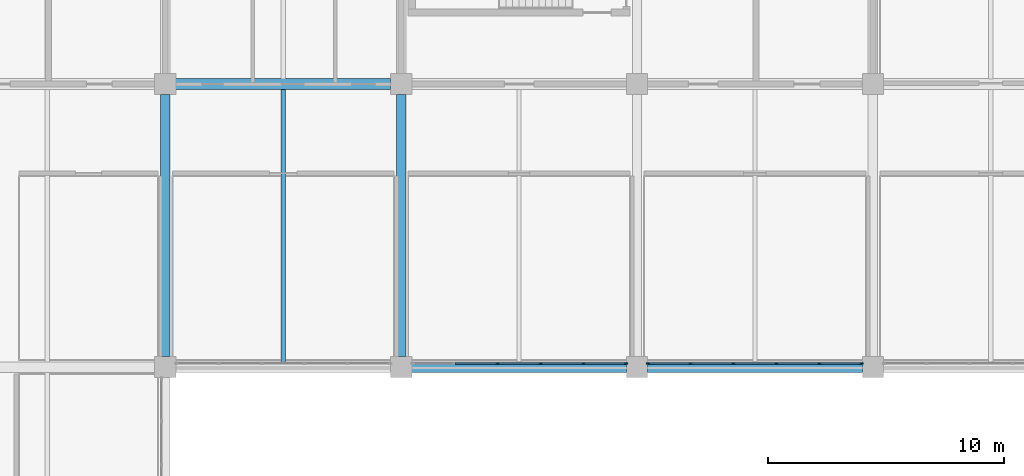
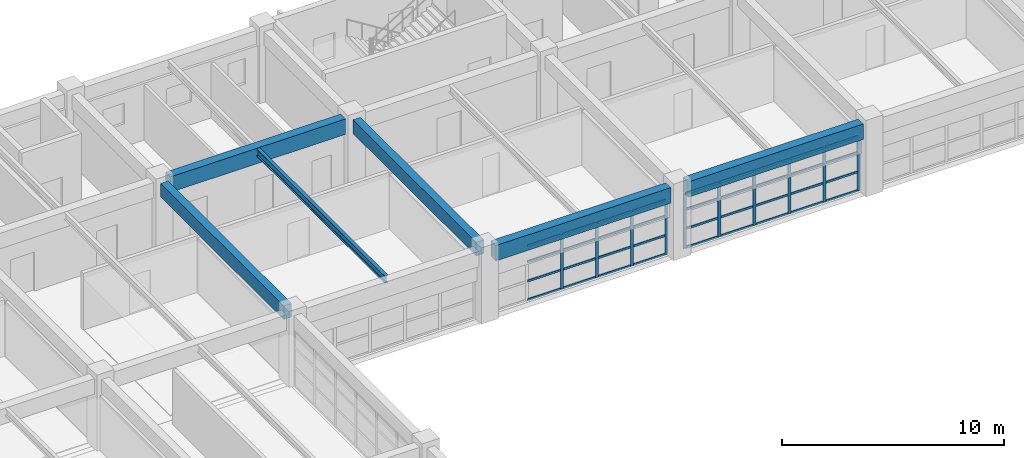
# One storey, part 58 of 100: 46 members, 6 beams, 2 elements without a shape of their own.
"""IFC4 building model written with IfcOpenShell, lengths in metres."""

from ifc_helpers import new_model, si_unit, direction, frame, origin, origin_2d, place, context, subcontext, project, spatial, rectangle, i_section, extrude, material, layer, layer_set, material_profile, profile_set, type_object, element, aggregate, save


model = new_model("IFC4")

# Units and contexts
model_context = context("Model", 3, precision=1e-05, world=origin(), true_north=direction((0.0, 1.0)))
body_context = subcontext(model_context, "Body", "Model", "MODEL_VIEW")
ifc_project = project(units=[si_unit("LENGTHUNIT", "METRE"), si_unit("AREAUNIT", "SQUARE_METRE"), si_unit("VOLUMEUNIT", "CUBIC_METRE"), si_unit("PLANEANGLEUNIT", "RADIAN"), si_unit("MASSUNIT", "GRAM", prefix="KILO")], contexts=[model_context])

# Site, building, storey
site_placement = place(None, origin())
site = spatial("IfcSite", under=ifc_project, at=site_placement, CompositionType="ELEMENT")
building_placement = place(site_placement, origin())
building = spatial("IfcBuilding", under=site, at=building_placement, Name="Kivolera Central Railway Station", CompositionType="ELEMENT")
storey_placement = place(building_placement, frame((0.0, 0.0, 5.39990234375)))
storey = spatial("IfcBuildingStorey", under=building, at=storey_placement, Name="L01", CompositionType="ELEMENT", Elevation=5.39990234375)

# Beams
ifc_material_1 = material(Name="Steel S355", Category="steel")
ifc_material_profile_1 = material_profile(ifc_material_1, i_section(OverallWidth=0.179931640625, OverallDepth=0.39990234375, WebThickness=0.008544921875, FlangeThickness=0.013427734375, FilletRadius=0.02099609375, at=origin_2d()), Name="IPE 400")
ifc_profile_set_1 = profile_set([ifc_material_profile_1], Name="Steel S355")
beam_type_1 = type_object("IfcBeamType", Name="BM-JST-IPE400", PredefinedType="JOIST", material=ifc_profile_set_1)
beam_placement = place(storey_placement, frame((143.0, 114.217041015625, 3.668212890625), z_axis=(0.0, 1.0, 0.0), x_axis=(-1.0, 0.0, 0.0)))
element("IfcBeam", 1, at=beam_placement, inside=storey, type_object=beam_type_1, Name="L01 Floor Joist 14-15/K-L", PredefinedType="JOIST", context=body_context, shape_type="SweptSolid", body=[
    extrude(i_section(OverallWidth=0.179931640625, OverallDepth=0.39990234375, WebThickness=0.008544921875, FlangeThickness=0.013427734375, FilletRadius=0.02099609375, at=origin_2d()), origin(), (0.0, 0.0, 1.0), 11.56591796875),
])
ifc_material_2 = material(Name="Concrete C40/50", Category="concrete")
ifc_material_profile_2 = material_profile(ifc_material_2, rectangle(XDim=0.39990234375, YDim=0.75, at=origin_2d()), Name="RC 400x750")
ifc_profile_set_2 = profile_set([ifc_material_profile_2], Name="Concrete C40/50")
beam_type_2 = type_object("IfcBeamType", Name="BM-RC-400x750", PredefinedType="BEAM", material=ifc_profile_set_2)
for number, where, z_axis, x_axis, name in (
    (2, (138.0, 114.44189453125, 3.505126953125), (0.0, 1.0, 0.0), (-1.0, 0.0, 0.0), "L01 Wing Y-Beam 14:K-L"),
    (3, (148.0, 114.44189453125, 3.505126953125), (0.0, 1.0, 0.0), (-1.0, 0.0, 0.0), "L01 Wing Y-Beam 15:K-L"),
):
    element("IfcBeam", number, at=place(storey_placement, frame(where, z_axis=z_axis, x_axis=x_axis)), inside=storey, type_object=beam_type_2, Name=name, PredefinedType="BEAM", context=body_context, shape_type="SweptSolid", body=[
        extrude(rectangle(XDim=0.39990234375, YDim=0.75, at=origin_2d()), origin(), (0.0, 0.0, 1.0), 11.1162109375),
    ])
ifc_material_profile_3 = material_profile(ifc_material_2, rectangle(XDim=0.449951171875, YDim=0.85009765625, at=origin_2d()), Name="RC 450x850")
ifc_profile_set_3 = profile_set([ifc_material_profile_3], Name="Concrete C40/50")
beam_type_3 = type_object("IfcBeamType", Name="BM-RC-450x850", PredefinedType="BEAM", material=ifc_profile_set_3)
for number, where, z_axis, x_axis, name in (
    (4, (148.44189453125, 114.0, 3.455078125), (1.0, 0.0, 0.0), (0.0, 1.0, 0.0), "L01 Wing X-Beam K:15-16"),
    (5, (158.44189453125, 114.0, 3.455078125), (1.0, 0.0, 0.0), (0.0, 1.0, 0.0), "L01 Wing X-Beam K:16-17"),
    (6, (138.44189453125, 126.0, 3.455078125), (1.0, 0.0, 0.0), (0.0, 1.0, 0.0), "L01 Wing X-Beam L:14-15"),
):
    element("IfcBeam", number, at=place(storey_placement, frame(where, z_axis=z_axis, x_axis=x_axis)), inside=storey, type_object=beam_type_3, Name=name, PredefinedType="BEAM", context=body_context, shape_type="SweptSolid", body=[
        extrude(rectangle(XDim=0.449951171875, YDim=0.85009765625, at=origin_2d()), origin(), (0.0, 0.0, 1.0), 9.1162109375),
    ])

# Curtain wall, members
ifc_material_3 = material(Name="Anodised aluminium", Category="aluminium")
ifc_layer = layer(ifc_material_3, 0.179931640625, Name="Anodised aluminium")
ifc_layer_set = layer_set([ifc_layer], Name="Anodised aluminium")
curtain_wall_type = type_object("IfcCurtainWallType", Name="CW-SYS-24", PredefinedType="NOTDEFINED", material=ifc_layer_set)
curtain_wall_1_placement = place(storey_placement, origin())
curtain_wall_1 = element("IfcCurtainWall", 7, at=curtain_wall_1_placement, inside=storey, type_object=curtain_wall_type, Name="L01 Curtain Wall CW-L01-CRTN-148", PredefinedType="NOTDEFINED")
ifc_material_profile_4 = material_profile(ifc_material_3, rectangle(XDim=0.06005859375, YDim=0.14990234375, at=origin_2d()), Name="ALU MULL 60x150")
ifc_profile_set_4 = profile_set([ifc_material_profile_4], Name="Anodised aluminium")
member_type_1 = type_object("IfcMemberType", Name="CWM-MUL-2", PredefinedType="MULLION", material=ifc_profile_set_4)
member_1_placement = place(storey_placement, frame((157.52490234375, 114.159912109375, -0.0048828125), z_axis=(0.0, 0.0, 1.0), x_axis=(0.0, -1.0, 0.0)))
member_1 = element("IfcMember", 8, at=member_1_placement, type_object=member_type_1, Name="CW-24 mullion 1", PredefinedType="MULLION", context=body_context, shape_type="SweptSolid", body=[
    extrude(rectangle(XDim=0.06005859375, YDim=0.14990234375, at=origin_2d()), origin(), (0.0, 0.0, 1.0), 3.02294921875),
])
member_2_placement = place(storey_placement, frame((155.73291015625, 114.159912109375, -0.0048828125), z_axis=(0.0, 0.0, 1.0), x_axis=(0.0, -1.0, 0.0)))
member_2 = element("IfcMember", 9, at=member_2_placement, type_object=member_type_1, Name="CW-24 mullion 2", PredefinedType="MULLION", context=body_context, shape_type="SweptSolid", body=[
    extrude(rectangle(XDim=0.06005859375, YDim=0.14990234375, at=origin_2d()), origin(), (0.0, 0.0, 1.0), 3.02294921875),
])
member_3_placement = place(storey_placement, frame((153.910888671875, 114.159912109375, -0.0048828125), z_axis=(0.0, 0.0, 1.0), x_axis=(0.0, -1.0, 0.0)))
member_3 = element("IfcMember", 10, at=member_3_placement, type_object=member_type_1, Name="CW-24 mullion 3", PredefinedType="MULLION", context=body_context, shape_type="SweptSolid", body=[
    extrude(rectangle(XDim=0.06005859375, YDim=0.14990234375, at=origin_2d()), origin(), (0.0, 0.0, 1.0), 3.02294921875),
])
member_4_placement = place(storey_placement, frame((152.089111328125, 114.159912109375, -0.0048828125), z_axis=(0.0, 0.0, 1.0), x_axis=(0.0, -1.0, 0.0)))
member_4 = element("IfcMember", 11, at=member_4_placement, type_object=member_type_1, Name="CW-24 mullion 4", PredefinedType="MULLION", context=body_context, shape_type="SweptSolid", body=[
    extrude(rectangle(XDim=0.06005859375, YDim=0.14990234375, at=origin_2d()), origin(), (0.0, 0.0, 1.0), 3.02294921875),
])

curtain_wall_2_placement = place(storey_placement, origin())
curtain_wall_2 = element("IfcCurtainWall", 12, at=curtain_wall_2_placement, inside=storey, type_object=curtain_wall_type, Name="L01 Curtain Wall CW-L01-CRTN-158", PredefinedType="NOTDEFINED")
member_5_placement = place(storey_placement, frame((167.52490234375, 114.159912109375, -0.0048828125), z_axis=(0.0, 0.0, 1.0), x_axis=(0.0, -1.0, 0.0)))
member_5 = element("IfcMember", 13, at=member_5_placement, type_object=member_type_1, Name="CW-24 mullion 1", PredefinedType="MULLION", context=body_context, shape_type="SweptSolid", body=[
    extrude(rectangle(XDim=0.06005859375, YDim=0.14990234375, at=origin_2d()), origin(), (0.0, 0.0, 1.0), 3.02294921875),
])
member_6_placement = place(storey_placement, frame((165.73291015625, 114.159912109375, -0.0048828125), z_axis=(0.0, 0.0, 1.0), x_axis=(0.0, -1.0, 0.0)))
member_6 = element("IfcMember", 14, at=member_6_placement, type_object=member_type_1, Name="CW-24 mullion 2", PredefinedType="MULLION", context=body_context, shape_type="SweptSolid", body=[
    extrude(rectangle(XDim=0.06005859375, YDim=0.14990234375, at=origin_2d()), origin(), (0.0, 0.0, 1.0), 3.02294921875),
])
member_7_placement = place(storey_placement, frame((163.910888671875, 114.159912109375, -0.0048828125), z_axis=(0.0, 0.0, 1.0), x_axis=(0.0, -1.0, 0.0)))
member_7 = element("IfcMember", 15, at=member_7_placement, type_object=member_type_1, Name="CW-24 mullion 3", PredefinedType="MULLION", context=body_context, shape_type="SweptSolid", body=[
    extrude(rectangle(XDim=0.06005859375, YDim=0.14990234375, at=origin_2d()), origin(), (0.0, 0.0, 1.0), 3.02294921875),
])
member_8_placement = place(storey_placement, frame((162.089111328125, 114.159912109375, -0.0048828125), z_axis=(0.0, 0.0, 1.0), x_axis=(0.0, -1.0, 0.0)))
member_8 = element("IfcMember", 16, at=member_8_placement, type_object=member_type_1, Name="CW-24 mullion 4", PredefinedType="MULLION", context=body_context, shape_type="SweptSolid", body=[
    extrude(rectangle(XDim=0.06005859375, YDim=0.14990234375, at=origin_2d()), origin(), (0.0, 0.0, 1.0), 3.02294921875),
])
member_9_placement = place(storey_placement, frame((160.26708984375, 114.159912109375, -0.0048828125), z_axis=(0.0, 0.0, 1.0), x_axis=(0.0, -1.0, 0.0)))
member_9 = element("IfcMember", 17, at=member_9_placement, type_object=member_type_1, Name="CW-24 mullion 5", PredefinedType="MULLION", context=body_context, shape_type="SweptSolid", body=[
    extrude(rectangle(XDim=0.06005859375, YDim=0.14990234375, at=origin_2d()), origin(), (0.0, 0.0, 1.0), 3.02294921875),
])
member_10_placement = place(storey_placement, frame((158.47509765625, 114.159912109375, -0.0048828125), z_axis=(0.0, 0.0, 1.0), x_axis=(0.0, -1.0, 0.0)))
member_10 = element("IfcMember", 18, at=member_10_placement, type_object=member_type_1, Name="CW-24 mullion 6", PredefinedType="MULLION", context=body_context, shape_type="SweptSolid", body=[
    extrude(rectangle(XDim=0.06005859375, YDim=0.14990234375, at=origin_2d()), origin(), (0.0, 0.0, 1.0), 3.02294921875),
])

# Member
ifc_material_profile_5 = material_profile(ifc_material_3, rectangle(XDim=0.06005859375, YDim=0.1201171875, at=origin_2d()), Name="ALU TRAN 60x120")
ifc_profile_set_5 = profile_set([ifc_material_profile_5], Name="Anodised aluminium")
member_type_2 = type_object("IfcMemberType", Name="CWM-TRN-2", PredefinedType="USERDEFINED", material=ifc_profile_set_5)
member_11_placement = place(storey_placement, frame((157.4951171875, 114.159912109375, 0.030029296875), z_axis=(-1.0, 0.0, 0.0), x_axis=(0.0, -1.0, 0.0)))
member_11 = element("IfcMember", 19, at=member_11_placement, type_object=member_type_2, Name="CW-24 transom 1.1", ObjectType="TRANSOM", PredefinedType="USERDEFINED", context=body_context, shape_type="SweptSolid", body=[
    extrude(rectangle(XDim=0.06005859375, YDim=0.1201171875, at=origin_2d()), origin(), (0.0, 0.0, 1.0), 1.732177734375),
])

member_12_placement = place(storey_placement, frame((157.4951171875, 114.159912109375, 1.056396484375), z_axis=(-1.0, 0.0, 0.0), x_axis=(0.0, -1.0, 0.0)))
member_12 = element("IfcMember", 20, at=member_12_placement, type_object=member_type_2, Name="CW-24 transom 1.2", ObjectType="TRANSOM", PredefinedType="USERDEFINED", context=body_context, shape_type="SweptSolid", body=[
    extrude(rectangle(XDim=0.06005859375, YDim=0.1201171875, at=origin_2d()), origin(), (0.0, 0.0, 1.0), 1.732177734375),
])

member_13_placement = place(storey_placement, frame((157.4951171875, 114.159912109375, 2.11279296875), z_axis=(-1.0, 0.0, 0.0), x_axis=(0.0, -1.0, 0.0)))
member_13 = element("IfcMember", 21, at=member_13_placement, type_object=member_type_2, Name="CW-24 transom 1.3", ObjectType="TRANSOM", PredefinedType="USERDEFINED", context=body_context, shape_type="SweptSolid", body=[
    extrude(rectangle(XDim=0.06005859375, YDim=0.1201171875, at=origin_2d()), origin(), (0.0, 0.0, 1.0), 1.732177734375),
])

member_14_placement = place(storey_placement, frame((157.4951171875, 114.159912109375, 2.988037109375), z_axis=(-1.0, 0.0, 0.0), x_axis=(0.0, -1.0, 0.0)))
member_14 = element("IfcMember", 22, at=member_14_placement, type_object=member_type_2, Name="CW-24 transom 1.4", ObjectType="TRANSOM", PredefinedType="USERDEFINED", context=body_context, shape_type="SweptSolid", body=[
    extrude(rectangle(XDim=0.06005859375, YDim=0.1201171875, at=origin_2d()), origin(), (0.0, 0.0, 1.0), 1.732177734375),
])

member_15_placement = place(storey_placement, frame((155.702880859375, 114.159912109375, 0.030029296875), z_axis=(-1.0, 0.0, 0.0), x_axis=(0.0, -1.0, 0.0)))
member_15 = element("IfcMember", 23, at=member_15_placement, type_object=member_type_2, Name="CW-24 transom 2.1", ObjectType="TRANSOM", PredefinedType="USERDEFINED", context=body_context, shape_type="SweptSolid", body=[
    extrude(rectangle(XDim=0.06005859375, YDim=0.1201171875, at=origin_2d()), origin(), (0.0, 0.0, 1.0), 1.761962890625),
])

member_16_placement = place(storey_placement, frame((155.702880859375, 114.159912109375, 1.056396484375), z_axis=(-1.0, 0.0, 0.0), x_axis=(0.0, -1.0, 0.0)))
member_16 = element("IfcMember", 24, at=member_16_placement, type_object=member_type_2, Name="CW-24 transom 2.2", ObjectType="TRANSOM", PredefinedType="USERDEFINED", context=body_context, shape_type="SweptSolid", body=[
    extrude(rectangle(XDim=0.06005859375, YDim=0.1201171875, at=origin_2d()), origin(), (0.0, 0.0, 1.0), 1.761962890625),
])

member_17_placement = place(storey_placement, frame((155.702880859375, 114.159912109375, 2.11279296875), z_axis=(-1.0, 0.0, 0.0), x_axis=(0.0, -1.0, 0.0)))
member_17 = element("IfcMember", 25, at=member_17_placement, type_object=member_type_2, Name="CW-24 transom 2.3", ObjectType="TRANSOM", PredefinedType="USERDEFINED", context=body_context, shape_type="SweptSolid", body=[
    extrude(rectangle(XDim=0.06005859375, YDim=0.1201171875, at=origin_2d()), origin(), (0.0, 0.0, 1.0), 1.761962890625),
])

member_18_placement = place(storey_placement, frame((155.702880859375, 114.159912109375, 2.988037109375), z_axis=(-1.0, 0.0, 0.0), x_axis=(0.0, -1.0, 0.0)))
member_18 = element("IfcMember", 26, at=member_18_placement, type_object=member_type_2, Name="CW-24 transom 2.4", ObjectType="TRANSOM", PredefinedType="USERDEFINED", context=body_context, shape_type="SweptSolid", body=[
    extrude(rectangle(XDim=0.06005859375, YDim=0.1201171875, at=origin_2d()), origin(), (0.0, 0.0, 1.0), 1.761962890625),
])

member_19_placement = place(storey_placement, frame((153.881103515625, 114.159912109375, 0.030029296875), z_axis=(-1.0, 0.0, 0.0), x_axis=(0.0, -1.0, 0.0)))
member_19 = element("IfcMember", 27, at=member_19_placement, type_object=member_type_2, Name="CW-24 transom 3.1", ObjectType="TRANSOM", PredefinedType="USERDEFINED", context=body_context, shape_type="SweptSolid", body=[
    extrude(rectangle(XDim=0.06005859375, YDim=0.1201171875, at=origin_2d()), origin(), (0.0, 0.0, 1.0), 1.76220703125),
])

member_20_placement = place(storey_placement, frame((153.881103515625, 114.159912109375, 1.056396484375), z_axis=(-1.0, 0.0, 0.0), x_axis=(0.0, -1.0, 0.0)))
member_20 = element("IfcMember", 28, at=member_20_placement, type_object=member_type_2, Name="CW-24 transom 3.2", ObjectType="TRANSOM", PredefinedType="USERDEFINED", context=body_context, shape_type="SweptSolid", body=[
    extrude(rectangle(XDim=0.06005859375, YDim=0.1201171875, at=origin_2d()), origin(), (0.0, 0.0, 1.0), 1.76220703125),
])

member_21_placement = place(storey_placement, frame((153.881103515625, 114.159912109375, 2.11279296875), z_axis=(-1.0, 0.0, 0.0), x_axis=(0.0, -1.0, 0.0)))
member_21 = element("IfcMember", 29, at=member_21_placement, type_object=member_type_2, Name="CW-24 transom 3.3", ObjectType="TRANSOM", PredefinedType="USERDEFINED", context=body_context, shape_type="SweptSolid", body=[
    extrude(rectangle(XDim=0.06005859375, YDim=0.1201171875, at=origin_2d()), origin(), (0.0, 0.0, 1.0), 1.76220703125),
])

member_22_placement = place(storey_placement, frame((153.881103515625, 114.159912109375, 2.988037109375), z_axis=(-1.0, 0.0, 0.0), x_axis=(0.0, -1.0, 0.0)))
member_22 = element("IfcMember", 30, at=member_22_placement, type_object=member_type_2, Name="CW-24 transom 3.4", ObjectType="TRANSOM", PredefinedType="USERDEFINED", context=body_context, shape_type="SweptSolid", body=[
    extrude(rectangle(XDim=0.06005859375, YDim=0.1201171875, at=origin_2d()), origin(), (0.0, 0.0, 1.0), 1.76220703125),
])

member_23_placement = place(storey_placement, frame((152.05908203125, 114.159912109375, 0.030029296875), z_axis=(-1.0, 0.0, 0.0), x_axis=(0.0, -1.0, 0.0)))
member_23 = element("IfcMember", 31, at=member_23_placement, type_object=member_type_2, Name="CW-24 transom 4.1", ObjectType="TRANSOM", PredefinedType="USERDEFINED", context=body_context, shape_type="SweptSolid", body=[
    extrude(rectangle(XDim=0.06005859375, YDim=0.1201171875, at=origin_2d()), origin(), (0.0, 0.0, 1.0), 1.761962890625),
])

member_24_placement = place(storey_placement, frame((152.05908203125, 114.159912109375, 1.056396484375), z_axis=(-1.0, 0.0, 0.0), x_axis=(0.0, -1.0, 0.0)))
member_24 = element("IfcMember", 32, at=member_24_placement, type_object=member_type_2, Name="CW-24 transom 4.2", ObjectType="TRANSOM", PredefinedType="USERDEFINED", context=body_context, shape_type="SweptSolid", body=[
    extrude(rectangle(XDim=0.06005859375, YDim=0.1201171875, at=origin_2d()), origin(), (0.0, 0.0, 1.0), 1.761962890625),
])

member_25_placement = place(storey_placement, frame((152.05908203125, 114.159912109375, 2.11279296875), z_axis=(-1.0, 0.0, 0.0), x_axis=(0.0, -1.0, 0.0)))
member_25 = element("IfcMember", 33, at=member_25_placement, type_object=member_type_2, Name="CW-24 transom 4.3", ObjectType="TRANSOM", PredefinedType="USERDEFINED", context=body_context, shape_type="SweptSolid", body=[
    extrude(rectangle(XDim=0.06005859375, YDim=0.1201171875, at=origin_2d()), origin(), (0.0, 0.0, 1.0), 1.761962890625),
])

member_26_placement = place(storey_placement, frame((152.05908203125, 114.159912109375, 2.988037109375), z_axis=(-1.0, 0.0, 0.0), x_axis=(0.0, -1.0, 0.0)))
member_26 = element("IfcMember", 34, at=member_26_placement, type_object=member_type_2, Name="CW-24 transom 4.4", ObjectType="TRANSOM", PredefinedType="USERDEFINED", context=body_context, shape_type="SweptSolid", body=[
    extrude(rectangle(XDim=0.06005859375, YDim=0.1201171875, at=origin_2d()), origin(), (0.0, 0.0, 1.0), 1.761962890625),
])

aggregate(curtain_wall_1, [member_1, member_2, member_3, member_4, member_11, member_12, member_13, member_14, member_15, member_16, member_17, member_18, member_19, member_20, member_21, member_22, member_23, member_24, member_25, member_26])

member_27_placement = place(storey_placement, frame((167.4951171875, 114.159912109375, 0.030029296875), z_axis=(-1.0, 0.0, 0.0), x_axis=(0.0, -1.0, 0.0)))
member_27 = element("IfcMember", 35, at=member_27_placement, type_object=member_type_2, Name="CW-24 transom 1.1", ObjectType="TRANSOM", PredefinedType="USERDEFINED", context=body_context, shape_type="SweptSolid", body=[
    extrude(rectangle(XDim=0.06005859375, YDim=0.1201171875, at=origin_2d()), origin(), (0.0, 0.0, 1.0), 1.732177734375),
])

member_28_placement = place(storey_placement, frame((167.4951171875, 114.159912109375, 1.056396484375), z_axis=(-1.0, 0.0, 0.0), x_axis=(0.0, -1.0, 0.0)))
member_28 = element("IfcMember", 36, at=member_28_placement, type_object=member_type_2, Name="CW-24 transom 1.2", ObjectType="TRANSOM", PredefinedType="USERDEFINED", context=body_context, shape_type="SweptSolid", body=[
    extrude(rectangle(XDim=0.06005859375, YDim=0.1201171875, at=origin_2d()), origin(), (0.0, 0.0, 1.0), 1.732177734375),
])

member_29_placement = place(storey_placement, frame((167.4951171875, 114.159912109375, 2.11279296875), z_axis=(-1.0, 0.0, 0.0), x_axis=(0.0, -1.0, 0.0)))
member_29 = element("IfcMember", 37, at=member_29_placement, type_object=member_type_2, Name="CW-24 transom 1.3", ObjectType="TRANSOM", PredefinedType="USERDEFINED", context=body_context, shape_type="SweptSolid", body=[
    extrude(rectangle(XDim=0.06005859375, YDim=0.1201171875, at=origin_2d()), origin(), (0.0, 0.0, 1.0), 1.732177734375),
])

member_30_placement = place(storey_placement, frame((167.4951171875, 114.159912109375, 2.988037109375), z_axis=(-1.0, 0.0, 0.0), x_axis=(0.0, -1.0, 0.0)))
member_30 = element("IfcMember", 38, at=member_30_placement, type_object=member_type_2, Name="CW-24 transom 1.4", ObjectType="TRANSOM", PredefinedType="USERDEFINED", context=body_context, shape_type="SweptSolid", body=[
    extrude(rectangle(XDim=0.06005859375, YDim=0.1201171875, at=origin_2d()), origin(), (0.0, 0.0, 1.0), 1.732177734375),
])

member_31_placement = place(storey_placement, frame((165.702880859375, 114.159912109375, 0.030029296875), z_axis=(-1.0, 0.0, 0.0), x_axis=(0.0, -1.0, 0.0)))
member_31 = element("IfcMember", 39, at=member_31_placement, type_object=member_type_2, Name="CW-24 transom 2.1", ObjectType="TRANSOM", PredefinedType="USERDEFINED", context=body_context, shape_type="SweptSolid", body=[
    extrude(rectangle(XDim=0.06005859375, YDim=0.1201171875, at=origin_2d()), origin(), (0.0, 0.0, 1.0), 1.761962890625),
])

member_32_placement = place(storey_placement, frame((165.702880859375, 114.159912109375, 1.056396484375), z_axis=(-1.0, 0.0, 0.0), x_axis=(0.0, -1.0, 0.0)))
member_32 = element("IfcMember", 40, at=member_32_placement, type_object=member_type_2, Name="CW-24 transom 2.2", ObjectType="TRANSOM", PredefinedType="USERDEFINED", context=body_context, shape_type="SweptSolid", body=[
    extrude(rectangle(XDim=0.06005859375, YDim=0.1201171875, at=origin_2d()), origin(), (0.0, 0.0, 1.0), 1.761962890625),
])

member_33_placement = place(storey_placement, frame((165.702880859375, 114.159912109375, 2.11279296875), z_axis=(-1.0, 0.0, 0.0), x_axis=(0.0, -1.0, 0.0)))
member_33 = element("IfcMember", 41, at=member_33_placement, type_object=member_type_2, Name="CW-24 transom 2.3", ObjectType="TRANSOM", PredefinedType="USERDEFINED", context=body_context, shape_type="SweptSolid", body=[
    extrude(rectangle(XDim=0.06005859375, YDim=0.1201171875, at=origin_2d()), origin(), (0.0, 0.0, 1.0), 1.761962890625),
])

member_34_placement = place(storey_placement, frame((165.702880859375, 114.159912109375, 2.988037109375), z_axis=(-1.0, 0.0, 0.0), x_axis=(0.0, -1.0, 0.0)))
member_34 = element("IfcMember", 42, at=member_34_placement, type_object=member_type_2, Name="CW-24 transom 2.4", ObjectType="TRANSOM", PredefinedType="USERDEFINED", context=body_context, shape_type="SweptSolid", body=[
    extrude(rectangle(XDim=0.06005859375, YDim=0.1201171875, at=origin_2d()), origin(), (0.0, 0.0, 1.0), 1.761962890625),
])

member_35_placement = place(storey_placement, frame((163.881103515625, 114.159912109375, 0.030029296875), z_axis=(-1.0, 0.0, 0.0), x_axis=(0.0, -1.0, 0.0)))
member_35 = element("IfcMember", 43, at=member_35_placement, type_object=member_type_2, Name="CW-24 transom 3.1", ObjectType="TRANSOM", PredefinedType="USERDEFINED", context=body_context, shape_type="SweptSolid", body=[
    extrude(rectangle(XDim=0.06005859375, YDim=0.1201171875, at=origin_2d()), origin(), (0.0, 0.0, 1.0), 1.76220703125),
])

member_36_placement = place(storey_placement, frame((163.881103515625, 114.159912109375, 1.056396484375), z_axis=(-1.0, 0.0, 0.0), x_axis=(0.0, -1.0, 0.0)))
member_36 = element("IfcMember", 44, at=member_36_placement, type_object=member_type_2, Name="CW-24 transom 3.2", ObjectType="TRANSOM", PredefinedType="USERDEFINED", context=body_context, shape_type="SweptSolid", body=[
    extrude(rectangle(XDim=0.06005859375, YDim=0.1201171875, at=origin_2d()), origin(), (0.0, 0.0, 1.0), 1.76220703125),
])

member_37_placement = place(storey_placement, frame((163.881103515625, 114.159912109375, 2.11279296875), z_axis=(-1.0, 0.0, 0.0), x_axis=(0.0, -1.0, 0.0)))
member_37 = element("IfcMember", 45, at=member_37_placement, type_object=member_type_2, Name="CW-24 transom 3.3", ObjectType="TRANSOM", PredefinedType="USERDEFINED", context=body_context, shape_type="SweptSolid", body=[
    extrude(rectangle(XDim=0.06005859375, YDim=0.1201171875, at=origin_2d()), origin(), (0.0, 0.0, 1.0), 1.76220703125),
])

member_38_placement = place(storey_placement, frame((163.881103515625, 114.159912109375, 2.988037109375), z_axis=(-1.0, 0.0, 0.0), x_axis=(0.0, -1.0, 0.0)))
member_38 = element("IfcMember", 46, at=member_38_placement, type_object=member_type_2, Name="CW-24 transom 3.4", ObjectType="TRANSOM", PredefinedType="USERDEFINED", context=body_context, shape_type="SweptSolid", body=[
    extrude(rectangle(XDim=0.06005859375, YDim=0.1201171875, at=origin_2d()), origin(), (0.0, 0.0, 1.0), 1.76220703125),
])

member_39_placement = place(storey_placement, frame((162.05908203125, 114.159912109375, 0.030029296875), z_axis=(-1.0, 0.0, 0.0), x_axis=(0.0, -1.0, 0.0)))
member_39 = element("IfcMember", 47, at=member_39_placement, type_object=member_type_2, Name="CW-24 transom 4.1", ObjectType="TRANSOM", PredefinedType="USERDEFINED", context=body_context, shape_type="SweptSolid", body=[
    extrude(rectangle(XDim=0.06005859375, YDim=0.1201171875, at=origin_2d()), origin(), (0.0, 0.0, 1.0), 1.761962890625),
])

member_40_placement = place(storey_placement, frame((162.05908203125, 114.159912109375, 1.056396484375), z_axis=(-1.0, 0.0, 0.0), x_axis=(0.0, -1.0, 0.0)))
member_40 = element("IfcMember", 48, at=member_40_placement, type_object=member_type_2, Name="CW-24 transom 4.2", ObjectType="TRANSOM", PredefinedType="USERDEFINED", context=body_context, shape_type="SweptSolid", body=[
    extrude(rectangle(XDim=0.06005859375, YDim=0.1201171875, at=origin_2d()), origin(), (0.0, 0.0, 1.0), 1.761962890625),
])

member_41_placement = place(storey_placement, frame((162.05908203125, 114.159912109375, 2.11279296875), z_axis=(-1.0, 0.0, 0.0), x_axis=(0.0, -1.0, 0.0)))
member_41 = element("IfcMember", 49, at=member_41_placement, type_object=member_type_2, Name="CW-24 transom 4.3", ObjectType="TRANSOM", PredefinedType="USERDEFINED", context=body_context, shape_type="SweptSolid", body=[
    extrude(rectangle(XDim=0.06005859375, YDim=0.1201171875, at=origin_2d()), origin(), (0.0, 0.0, 1.0), 1.761962890625),
])

member_42_placement = place(storey_placement, frame((162.05908203125, 114.159912109375, 2.988037109375), z_axis=(-1.0, 0.0, 0.0), x_axis=(0.0, -1.0, 0.0)))
member_42 = element("IfcMember", 50, at=member_42_placement, type_object=member_type_2, Name="CW-24 transom 4.4", ObjectType="TRANSOM", PredefinedType="USERDEFINED", context=body_context, shape_type="SweptSolid", body=[
    extrude(rectangle(XDim=0.06005859375, YDim=0.1201171875, at=origin_2d()), origin(), (0.0, 0.0, 1.0), 1.761962890625),
])

member_43_placement = place(storey_placement, frame((160.237060546875, 114.159912109375, 0.030029296875), z_axis=(-1.0, 0.0, 0.0), x_axis=(0.0, -1.0, 0.0)))
member_43 = element("IfcMember", 51, at=member_43_placement, type_object=member_type_2, Name="CW-24 transom 5.1", ObjectType="TRANSOM", PredefinedType="USERDEFINED", context=body_context, shape_type="SweptSolid", body=[
    extrude(rectangle(XDim=0.06005859375, YDim=0.1201171875, at=origin_2d()), origin(), (0.0, 0.0, 1.0), 1.732177734375),
])

member_44_placement = place(storey_placement, frame((160.237060546875, 114.159912109375, 1.056396484375), z_axis=(-1.0, 0.0, 0.0), x_axis=(0.0, -1.0, 0.0)))
member_44 = element("IfcMember", 52, at=member_44_placement, type_object=member_type_2, Name="CW-24 transom 5.2", ObjectType="TRANSOM", PredefinedType="USERDEFINED", context=body_context, shape_type="SweptSolid", body=[
    extrude(rectangle(XDim=0.06005859375, YDim=0.1201171875, at=origin_2d()), origin(), (0.0, 0.0, 1.0), 1.732177734375),
])

member_45_placement = place(storey_placement, frame((160.237060546875, 114.159912109375, 2.11279296875), z_axis=(-1.0, 0.0, 0.0), x_axis=(0.0, -1.0, 0.0)))
member_45 = element("IfcMember", 53, at=member_45_placement, type_object=member_type_2, Name="CW-24 transom 5.3", ObjectType="TRANSOM", PredefinedType="USERDEFINED", context=body_context, shape_type="SweptSolid", body=[
    extrude(rectangle(XDim=0.06005859375, YDim=0.1201171875, at=origin_2d()), origin(), (0.0, 0.0, 1.0), 1.732177734375),
])

member_46_placement = place(storey_placement, frame((160.237060546875, 114.159912109375, 2.988037109375), z_axis=(-1.0, 0.0, 0.0), x_axis=(0.0, -1.0, 0.0)))
member_46 = element("IfcMember", 54, at=member_46_placement, type_object=member_type_2, Name="CW-24 transom 5.4", ObjectType="TRANSOM", PredefinedType="USERDEFINED", context=body_context, shape_type="SweptSolid", body=[
    extrude(rectangle(XDim=0.06005859375, YDim=0.1201171875, at=origin_2d()), origin(), (0.0, 0.0, 1.0), 1.732177734375),
])

aggregate(curtain_wall_2, [member_5, member_6, member_7, member_8, member_9, member_10, member_27, member_28, member_29, member_30, member_31, member_32, member_33, member_34, member_35, member_36, member_37, member_38, member_39, member_40, member_41, member_42, member_43, member_44, member_45, member_46])

save(model, "model.ifc")
